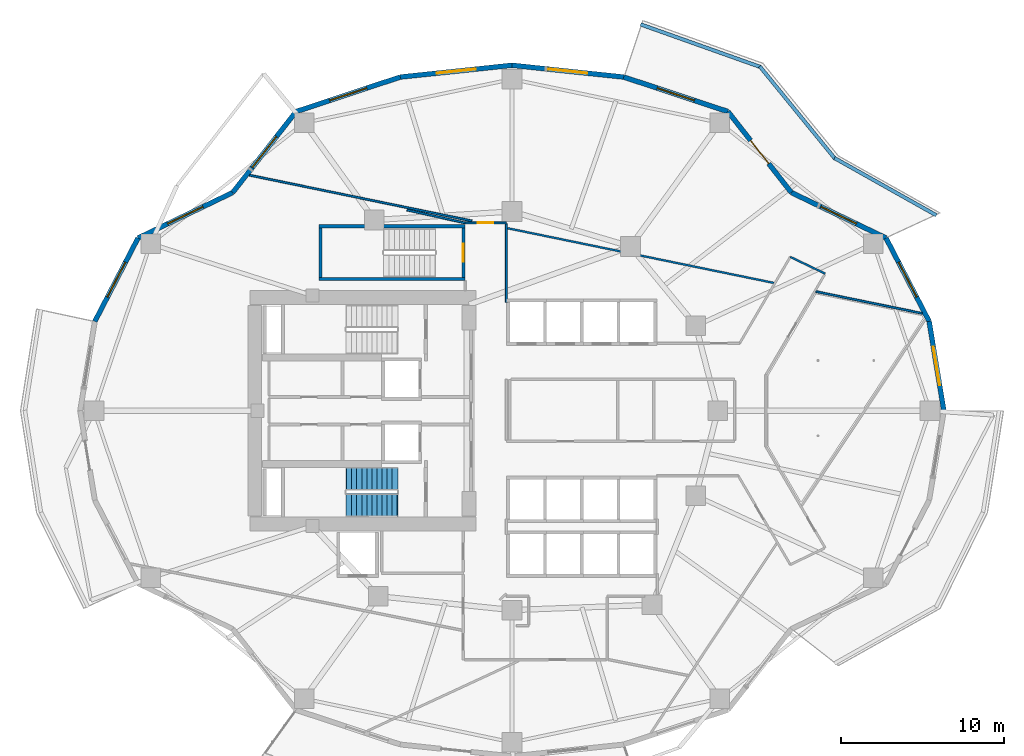
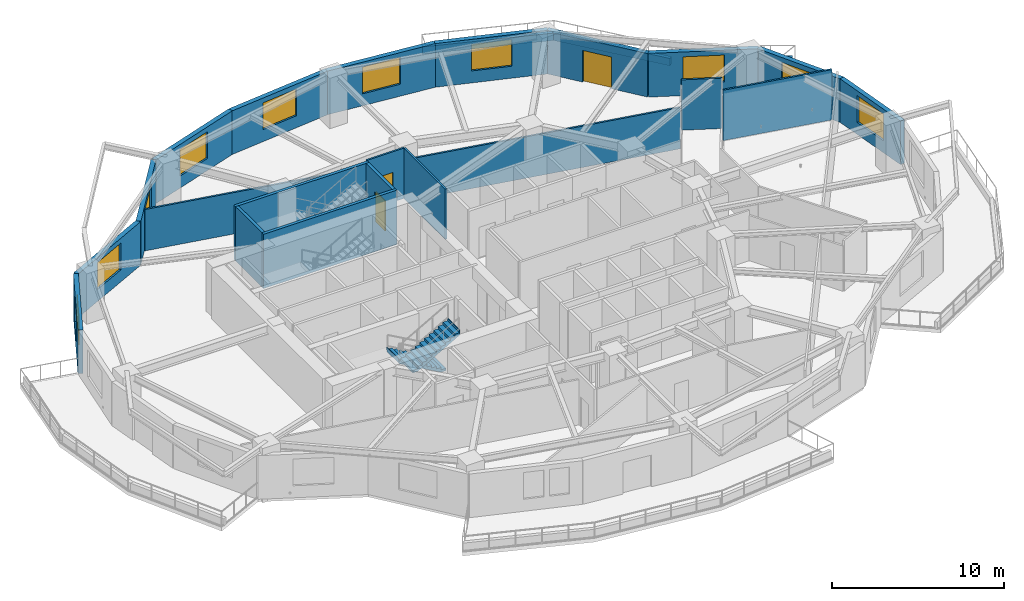
# One storey, part 6 of 14: 25 walls, 10 windows, 3 doors, 2 stair flights, 13 openings, 1 element without a shape of its own.
"""IFC4 building model written with IfcOpenShell, lengths in metres."""

from ifc_helpers import new_model, si_unit, direction, frame, frame_2d, origin, place, context, subcontext, project, spatial, polyline, rectangle, outline, extrude, material, layer, layer_set, type_object, element, fill, aggregate, save


model = new_model("IFC4")

# Units and contexts
model_context = context("Model", 3, precision=1e-05, world=origin(), true_north=direction((0.0, 1.0)))
body_context = subcontext(model_context, "Body", "Model", "MODEL_VIEW")
ifc_project = project(units=[si_unit("LENGTHUNIT", "METRE"), si_unit("AREAUNIT", "SQUARE_METRE"), si_unit("VOLUMEUNIT", "CUBIC_METRE"), si_unit("PLANEANGLEUNIT", "RADIAN"), si_unit("MASSUNIT", "GRAM", prefix="KILO")], contexts=[model_context])

# Site, building, storey
site_placement = place(None, origin())
site = spatial("IfcSite", under=ifc_project, at=site_placement, CompositionType="ELEMENT")
building_placement = place(site_placement, origin())
building = spatial("IfcBuilding", under=site, at=building_placement, Name="Kolvaren Gate Tower and Convention Centre", CompositionType="ELEMENT")
storey_placement = place(building_placement, frame((0.0, 0.0, 57.300048828125)))
storey = spatial("IfcBuildingStorey", under=building, at=storey_placement, Name="L13", CompositionType="ELEMENT", Elevation=57.300048828125)

# Wall, opening, door
ifc_material_1 = material(Name="Fire-Rated Acoustic Gypsum Stud Partition", Category="gypsum")
ifc_layer_1 = layer(ifc_material_1, 0.1201171875)
ifc_layer_set_1 = layer_set([ifc_layer_1], Name="Fire-Rated Acoustic Gypsum Stud Partition")
wall_type_1 = type_object("IfcWallType", Name="ARCH-WL-PART-120", PredefinedType="PARTITIONING", material=ifc_layer_set_1)
wall_1_placement = place(storey_placement, frame((27.25, 38.5, 0.0), z_axis=(0.0, 0.0, 1.0), x_axis=(1.0, 0.0, 0.0)))
wall_1 = element("IfcWall", 1, at=wall_1_placement, inside=storey, type_object=wall_type_1, Name="Interior Partition WL-L13-INT-022", PredefinedType="PARTITIONING", context=body_context, shape_type="SweptSolid", body=[
    extrude(rectangle(XDim=2.530029296875, YDim=0.1201171875, at=frame_2d((1.26513671875, 0.0))), origin(), (0.0, 0.0, 1.0), 3.570068359375),
])
opening_1_placement = place(wall_1_placement, frame((0.7900390625, 0.0, 0.0)))
opening_1 = element("IfcOpeningElement", 2, at=opening_1_placement, cuts=wall_1, Name="Opening DR-01", PredefinedType="OPENING", context=body_context, shape_type="SweptSolid", body=[
    extrude(rectangle(XDim=0.949951171875, YDim=2.10009765625, at=frame_2d((0.47509765625, 1.050048828125))), frame((0.0, 0.070068359375, 0.0), z_axis=(0.0, -1.0, 0.0), x_axis=(1.0, 0.0, 0.0)), (0.0, 0.0, 1.0), 0.14013671875),
])
ifc_material_2 = material(Name="Painted Architectural Steelwork ASTM A500 Grade C 345 MPa", Category="steel")
door_type_1 = type_object("IfcDoorType", Name="ARCH-DR-RISER-950", OperationType="SINGLE_SWING_RIGHT", PredefinedType="DOOR", material=ifc_material_2)
door_1_placement = place(opening_1_placement, origin())
door_1 = element("IfcDoor", 3, at=door_1_placement, inside=storey, type_object=door_type_1, Name="Design Flagship Showroom Door", OperationType="SINGLE_SWING_LEFT", OverallHeight=2.10009765625, OverallWidth=0.949951171875, PredefinedType="DOOR", context=body_context, shape_type="SweptSolid", body=[
    extrude(rectangle(XDim=0.949951171875, YDim=2.10009765625, at=frame_2d((0.47509765625, 1.050048828125))), frame((0.0, 0.02490234375, 0.0), z_axis=(0.0, -1.0, 0.0), x_axis=(1.0, 0.0, 0.0)), (0.0, 0.0, 1.0), 0.050048828125),
])
fill(opening_1, door_1)

# Walls
wall_2_placement = place(storey_placement, frame((29.780029296875, 33.639892578125, 0.0), z_axis=(0.0, 0.0, 1.0), x_axis=(0.0, 1.0, 0.0)))
element("IfcWall", 4, at=wall_2_placement, inside=storey, type_object=wall_type_1, Name="Interior Partition WL-L13-INT-025", PredefinedType="PARTITIONING", context=body_context, shape_type="SweptSolid", body=[
    extrude(rectangle(XDim=4.798095703125, YDim=0.1201171875, at=frame_2d((2.39892578125, 0.0))), origin(), (0.0, 0.0, 1.0), 3.570068359375),
])
wall_3_placement = place(storey_placement, frame((47.160888671875, 36.4189453125, 0.0), z_axis=(0.0, 0.0, 1.0), x_axis=(0.901268684569, -0.433260612351, 0.0)))
element("IfcWall", 5, at=wall_3_placement, inside=storey, type_object=wall_type_1, Name="Interior Partition WL-L13-INT-028", PredefinedType="PARTITIONING", context=body_context, shape_type="SweptSolid", body=[
    extrude(rectangle(XDim=2.367919921875, YDim=0.1201171875, at=frame_2d((1.18408203125, 0.0))), origin(), (0.0, 0.0, 1.0), 3.570068359375),
])
wall_4_placement = place(storey_placement, frame((14.0498046875, 41.421142578125, 0.0), z_axis=(0.0, 0.0, 1.0), x_axis=(0.979545345603, -0.201223547102, 0.0)))
element("IfcWall", 6, at=wall_4_placement, inside=storey, type_object=wall_type_1, Name="Interior Partition WL-L13-INT-045", PredefinedType="PARTITIONING", context=body_context, shape_type="SweptSolid", body=[
    extrude(rectangle(XDim=13.91015625, YDim=0.1201171875, at=frame_2d((6.955078125, 0.0))), origin(), (0.0, 0.0, 1.0), 2.933837890625),
])
wall_5_placement = place(storey_placement, frame((29.842041015625, 38.177001953125, 0.0), z_axis=(0.0, 0.0, 1.0), x_axis=(0.979543984113, -0.201230174647, 0.0)))
element("IfcWall", 7, at=wall_5_placement, inside=storey, type_object=wall_type_1, Name="Interior Partition WL-L13-INT-046", PredefinedType="PARTITIONING", context=body_context, shape_type="SweptSolid", body=[
    extrude(rectangle(XDim=16.654052734375, YDim=0.1201171875, at=frame_2d((8.3271484375, 0.0))), origin(), (0.0, 0.0, 1.0), 2.933837890625),
])
wall_6_placement = place(storey_placement, frame((48.72509765625, 34.2978515625, 0.0), z_axis=(0.0, 0.0, 1.0), x_axis=(0.979545031046, -0.201225078339, 0.0)))
element("IfcWall", 8, at=wall_6_placement, inside=storey, type_object=wall_type_1, Name="Interior Partition WL-L13-INT-047", PredefinedType="PARTITIONING", context=body_context, shape_type="SweptSolid", body=[
    extrude(rectangle(XDim=6.64990234375, YDim=0.1201171875, at=frame_2d((3.324951171875, 0.0))), origin(), (0.0, 0.0, 1.0), 3.570068359375),
])
wall_7_placement = place(storey_placement, frame((23.69287109375, 39.287109375, 0.0), z_axis=(0.0, 0.0, 1.0), x_axis=(0.976382184517, -0.216050525936, 0.0)))
element("IfcWall", 9, at=wall_7_placement, inside=storey, type_object=wall_type_1, Name="Interior Partition WL-L13-INT-048", PredefinedType="PARTITIONING", context=body_context, shape_type="SweptSolid", body=[
    extrude(rectangle(XDim=3.64306640625, YDim=0.1201171875, at=frame_2d((1.821533203125, 0.0))), origin(), (0.0, 0.0, 1.0), 2.933837890625),
])
ifc_material_3 = material(Name="Piedmont Cream Honed Limestone Cladding", Category="masonry")
ifc_layer_2 = layer(ifc_material_3, 0.219970703125)
ifc_layer_set_2 = layer_set([ifc_layer_2], Name="Piedmont Cream Honed Limestone Cladding")
wall_type_2 = type_object("IfcWallType", Name="ARCH-WL-PLANTER-220", PredefinedType="PARAPET", material=ifc_layer_set_2)
wall_8_placement = place(storey_placement, frame((49.867919921875, 42.469482421875, 0.0), z_axis=(0.0, 0.0, 1.0), x_axis=(0.871775109335, -0.489906275468, 0.0)))
element("IfcWall", 10, at=wall_8_placement, inside=storey, type_object=wall_type_2, Name="Vertical-Forest Balcony Stone Planter Kerb PK-L13-1.1", PredefinedType="PARAPET", context=body_context, shape_type="SweptSolid", body=[
    extrude(rectangle(XDim=7.152099609375, YDim=0.219970703125, at=frame_2d((3.576171875, 0.0))), origin(), (0.0, 0.0, 1.0), 0.52001953125),
])
wall_9_placement = place(storey_placement, frame((45.2919921875, 48.08203125, 0.0), z_axis=(0.0, 0.0, 1.0), x_axis=(0.631819273026, -0.775115737315, 0.0)))
element("IfcWall", 11, at=wall_9_placement, inside=storey, type_object=wall_type_2, Name="Vertical-Forest Balcony Stone Planter Kerb PK-L13-1.2", PredefinedType="PARAPET", context=body_context, shape_type="SweptSolid", body=[
    extrude(rectangle(XDim=7.31591796875, YDim=0.219970703125, at=frame_2d((3.657958984375, 0.0))), origin(), (0.0, 0.0, 1.0), 0.52001953125),
])
wall_10_placement = place(storey_placement, frame((38.001220703125, 50.651123046875, 0.0), z_axis=(0.0, 0.0, 1.0), x_axis=(0.942203722205, -0.335040513764, 0.0)))
element("IfcWall", 12, at=wall_10_placement, inside=storey, type_object=wall_type_2, Name="Vertical-Forest Balcony Stone Planter Kerb PK-L13-1.3", PredefinedType="PARAPET", context=body_context, shape_type="SweptSolid", body=[
    extrude(rectangle(XDim=7.80712890625, YDim=0.219970703125, at=frame_2d((3.903564453125, 0.0))), origin(), (0.0, 0.0, 1.0), 0.52001953125),
])

# Wall, opening, window
ifc_layer_3 = layer(ifc_material_3, 0.300048828125)
ifc_layer_set_3 = layer_set([ifc_layer_3], Name="Piedmont Cream Honed Limestone Cladding")
wall_type_3 = type_object("IfcWallType", Name="ARCH-WL-STONE-300", PredefinedType="SOLIDWALL", material=ifc_layer_set_3)
wall_11_placement = place(storey_placement, frame((55.66162109375, 32.47412109375, 0.0), z_axis=(0.0, 0.0, 1.0), x_axis=(0.162386212206, -0.986727276447, 0.0)))
wall_11 = element("IfcWall", 13, at=wall_11_placement, inside=storey, type_object=wall_type_3, Name="Tower L13 Honed Stone Spandrel Wall EW-00", PredefinedType="SOLIDWALL", context=body_context, shape_type="SweptSolid", body=[
    extrude(rectangle(XDim=5.5478515625, YDim=0.300048828125, at=frame_2d((2.77392578125, 0.0))), origin(), (0.0, 0.0, 1.0), 3.093017578125),
])
opening_2_placement = place(wall_11_placement, frame((1.573974609375, 0.0, 0.85009765625)))
opening_2 = element("IfcOpeningElement", 14, at=opening_2_placement, cuts=wall_11, Name="Opening W-01", PredefinedType="OPENING", context=body_context, shape_type="SweptSolid", body=[
    extrude(rectangle(XDim=2.39990234375, YDim=1.89990234375, at=frame_2d((1.199951171875, 0.949951171875))), frame((0.0, 0.159912109375, 0.0), z_axis=(0.0, -1.0, 0.0), x_axis=(1.0, 0.0, 0.0)), (0.0, 0.0, 1.0), 0.320068359375),
])
ifc_material_4 = material(Name="Low-E Triple Insulated Glazing Unit 44 mm", Category="glass")
window_type = type_object("IfcWindowType", Name="ARCH-WN-OFF-2400", PartitioningType="SINGLE_PANEL", PredefinedType="WINDOW", material=ifc_material_4)
window_1_placement = place(opening_2_placement, origin())
window_1 = element("IfcWindow", 15, at=window_1_placement, inside=storey, type_object=window_type, Name="Tower L13 Punched Stone Facade Window W-00", OverallHeight=1.89990234375, OverallWidth=2.39990234375, PartitioningType="SINGLE_PANEL", PredefinedType="WINDOW", context=body_context, shape_type="SweptSolid", body=[
    extrude(rectangle(XDim=2.39990234375, YDim=1.89990234375, at=frame_2d((1.199951171875, 0.949951171875))), frame((0.0, 0.030029296875, 0.0), z_axis=(0.0, -1.0, 0.0), x_axis=(1.0, 0.0, 0.0)), (0.0, 0.0, 1.0), 0.06005859375),
])
fill(opening_2, window_1)

wall_12_placement = place(storey_placement, frame((53.0205078125, 37.574951171875, 0.0), z_axis=(0.0, 0.0, 1.0), x_axis=(0.459800981414, -0.888021991558, 0.0)))
wall_12 = element("IfcWall", 16, at=wall_12_placement, inside=storey, type_object=wall_type_3, Name="Tower L13 Honed Stone Spandrel Wall EW-01", PredefinedType="SOLIDWALL", context=body_context, shape_type="SweptSolid", body=[
    extrude(rectangle(XDim=5.744140625, YDim=0.300048828125, at=frame_2d((2.8720703125, 0.0))), origin(), (0.0, 0.0, 1.0), 3.093017578125),
])
opening_3_placement = place(wall_12_placement, frame((1.672119140625, 0.0, 0.85009765625)))
opening_3 = element("IfcOpeningElement", 17, at=opening_3_placement, cuts=wall_12, Name="Opening W-01", PredefinedType="OPENING", context=body_context, shape_type="SweptSolid", body=[
    extrude(rectangle(XDim=2.39990234375, YDim=1.89990234375, at=frame_2d((1.199951171875, 0.949951171875))), frame((0.0, 0.159912109375, 0.0), z_axis=(0.0, -1.0, 0.0), x_axis=(1.0, 0.0, 0.0)), (0.0, 0.0, 1.0), 0.320068359375),
])
window_2_placement = place(opening_3_placement, origin())
window_2 = element("IfcWindow", 18, at=window_2_placement, inside=storey, type_object=window_type, Name="Tower L13 Punched Stone Facade Window W-01", OverallHeight=1.89990234375, OverallWidth=2.39990234375, PartitioningType="SINGLE_PANEL", PredefinedType="WINDOW", context=body_context, shape_type="SweptSolid", body=[
    extrude(rectangle(XDim=2.39990234375, YDim=1.89990234375, at=frame_2d((1.199951171875, 0.949951171875))), frame((0.0, 0.030029296875, 0.0), z_axis=(0.0, -1.0, 0.0), x_axis=(1.0, 0.0, 0.0)), (0.0, 0.0, 1.0), 0.06005859375),
])
fill(opening_3, window_2)

wall_13_placement = place(storey_placement, frame((47.223876953125, 40.360107421875, 0.0), z_axis=(0.0, 0.0, 1.0), x_axis=(0.901354747727, -0.433081538224, 0.0)))
wall_13 = element("IfcWall", 19, at=wall_13_placement, inside=storey, type_object=wall_type_3, Name="Tower L13 Honed Stone Spandrel Wall EW-02", PredefinedType="SOLIDWALL", context=body_context, shape_type="SweptSolid", body=[
    extrude(rectangle(XDim=6.430908203125, YDim=0.300048828125, at=frame_2d((3.21533203125, 0.0))), origin(), (0.0, 0.0, 1.0), 3.093017578125),
])
opening_4_placement = place(wall_13_placement, frame((2.014892578125, 0.0, 0.85009765625)))
opening_4 = element("IfcOpeningElement", 20, at=opening_4_placement, cuts=wall_13, Name="Opening W-01", PredefinedType="OPENING", context=body_context, shape_type="SweptSolid", body=[
    extrude(rectangle(XDim=2.39990234375, YDim=1.89990234375, at=frame_2d((1.199951171875, 0.949951171875))), frame((0.0, 0.159912109375, 0.0), z_axis=(0.0, -1.0, 0.0), x_axis=(1.0, 0.0, 0.0)), (0.0, 0.0, 1.0), 0.320068359375),
])
window_3_placement = place(opening_4_placement, origin())
window_3 = element("IfcWindow", 21, at=window_3_placement, inside=storey, type_object=window_type, Name="Tower L13 Punched Stone Facade Window W-02", OverallHeight=1.89990234375, OverallWidth=2.39990234375, PartitioningType="SINGLE_PANEL", PredefinedType="WINDOW", context=body_context, shape_type="SweptSolid", body=[
    extrude(rectangle(XDim=2.39990234375, YDim=1.89990234375, at=frame_2d((1.199951171875, 0.949951171875))), frame((0.0, 0.030029296875, 0.0), z_axis=(0.0, -1.0, 0.0), x_axis=(1.0, 0.0, 0.0)), (0.0, 0.0, 1.0), 0.06005859375),
])
fill(opening_4, window_3)

# Wall, opening, door
wall_14_placement = place(storey_placement, frame((43.34375, 45.31640625, 0.0), z_axis=(0.0, 0.0, 1.0), x_axis=(0.616434798832, -0.78740595552, 0.0)))
wall_14 = element("IfcWall", 22, at=wall_14_placement, inside=storey, type_object=wall_type_3, Name="Tower L13 Honed Stone Spandrel Wall EW-03", PredefinedType="SOLIDWALL", context=body_context, shape_type="SweptSolid", body=[
    extrude(rectangle(XDim=6.29443359375, YDim=0.300048828125, at=frame_2d((3.147216796875, 0.0))), origin(), (0.0, 0.0, 1.0), 3.093017578125),
])
opening_5_placement = place(wall_14_placement, frame((2.2470703125, 0.0, 0.0)))
opening_5 = element("IfcOpeningElement", 23, at=opening_5_placement, cuts=wall_14, Name="Opening DB-01", PredefinedType="OPENING", context=body_context, shape_type="SweptSolid", body=[
    extrude(rectangle(XDim=1.800048828125, YDim=2.25, at=frame_2d((0.89990234375, 1.125))), frame((0.0, 0.159912109375, 0.0), z_axis=(0.0, -1.0, 0.0), x_axis=(1.0, 0.0, 0.0)), (0.0, 0.0, 1.0), 0.320068359375),
])
ifc_material_5 = material(Name="Anodized Architectural Aluminium Alloy 6063-T6", Category="aluminium")
door_type_2 = type_object("IfcDoorType", Name="ARCH-DR-BALC-1800", OperationType="SLIDING_TO_LEFT", PredefinedType="DOOR", material=ifc_material_5)
door_2_placement = place(opening_5_placement, origin())
door_2 = element("IfcDoor", 24, at=door_2_placement, inside=storey, type_object=door_type_2, Name="Planted Sky Terrace Access Door DB-L13-03", OperationType="SLIDING_TO_LEFT", OverallHeight=2.25, OverallWidth=1.800048828125, PredefinedType="DOOR", context=body_context, shape_type="SweptSolid", body=[
    extrude(rectangle(XDim=1.800048828125, YDim=2.25, at=frame_2d((0.89990234375, 1.125))), frame((0.0, 0.02490234375, 0.0), z_axis=(0.0, -1.0, 0.0), x_axis=(1.0, 0.0, 0.0)), (0.0, 0.0, 1.0), 0.050048828125),
])
fill(opening_5, door_2)

# Wall, opening, window
wall_15_placement = place(storey_placement, frame((36.967529296875, 47.42919921875, 0.0), z_axis=(0.0, 0.0, 1.0), x_axis=(0.949245153629, -0.314537181127, 0.0)))
wall_15 = element("IfcWall", 25, at=wall_15_placement, inside=storey, type_object=wall_type_3, Name="Tower L13 Honed Stone Spandrel Wall EW-04", PredefinedType="SOLIDWALL", context=body_context, shape_type="SweptSolid", body=[
    extrude(rectangle(XDim=6.717041015625, YDim=0.300048828125, at=frame_2d((3.3583984375, 0.0))), origin(), (0.0, 0.0, 1.0), 3.093017578125),
])
opening_6_placement = place(wall_15_placement, frame((2.158935546875, 0.0, 0.85009765625)))
opening_6 = element("IfcOpeningElement", 26, at=opening_6_placement, cuts=wall_15, Name="Opening W-01", PredefinedType="OPENING", context=body_context, shape_type="SweptSolid", body=[
    extrude(rectangle(XDim=2.39990234375, YDim=1.89990234375, at=frame_2d((1.199951171875, 0.949951171875))), frame((0.0, 0.159912109375, 0.0), z_axis=(0.0, -1.0, 0.0), x_axis=(1.0, 0.0, 0.0)), (0.0, 0.0, 1.0), 0.320068359375),
])
window_4_placement = place(opening_6_placement, origin())
window_4 = element("IfcWindow", 27, at=window_4_placement, inside=storey, type_object=window_type, Name="Tower L13 Punched Stone Facade Window W-04", OverallHeight=1.89990234375, OverallWidth=2.39990234375, PartitioningType="SINGLE_PANEL", PredefinedType="WINDOW", context=body_context, shape_type="SweptSolid", body=[
    extrude(rectangle(XDim=2.39990234375, YDim=1.89990234375, at=frame_2d((1.199951171875, 0.949951171875))), frame((0.0, 0.030029296875, 0.0), z_axis=(0.0, -1.0, 0.0), x_axis=(1.0, 0.0, 0.0)), (0.0, 0.0, 1.0), 0.06005859375),
])
fill(opening_6, window_4)

wall_16_placement = place(storey_placement, frame((30.125, 48.14990234375, 0.0), z_axis=(0.0, 0.0, 1.0), x_axis=(0.994498840295, -0.104747585419, 0.0)))
wall_16 = element("IfcWall", 28, at=wall_16_placement, inside=storey, type_object=wall_type_3, Name="Tower L13 Honed Stone Spandrel Wall EW-05", PredefinedType="SOLIDWALL", context=body_context, shape_type="SweptSolid", body=[
    extrude(rectangle(XDim=6.88037109375, YDim=0.300048828125, at=frame_2d((3.440185546875, 0.0))), origin(), (0.0, 0.0, 1.0), 3.093017578125),
])
opening_7_placement = place(wall_16_placement, frame((2.239990234375, 0.0, 0.85009765625)))
opening_7 = element("IfcOpeningElement", 29, at=opening_7_placement, cuts=wall_16, Name="Opening W-01", PredefinedType="OPENING", context=body_context, shape_type="SweptSolid", body=[
    extrude(rectangle(XDim=2.39990234375, YDim=1.89990234375, at=frame_2d((1.199951171875, 0.949951171875))), frame((0.0, 0.159912109375, 0.0), z_axis=(0.0, -1.0, 0.0), x_axis=(1.0, 0.0, 0.0)), (0.0, 0.0, 1.0), 0.320068359375),
])
window_5_placement = place(opening_7_placement, origin())
window_5 = element("IfcWindow", 30, at=window_5_placement, inside=storey, type_object=window_type, Name="Tower L13 Punched Stone Facade Window W-05", OverallHeight=1.89990234375, OverallWidth=2.39990234375, PartitioningType="SINGLE_PANEL", PredefinedType="WINDOW", context=body_context, shape_type="SweptSolid", body=[
    extrude(rectangle(XDim=2.39990234375, YDim=1.89990234375, at=frame_2d((1.199951171875, 0.949951171875))), frame((0.0, 0.030029296875, 0.0), z_axis=(0.0, -1.0, 0.0), x_axis=(1.0, 0.0, 0.0)), (0.0, 0.0, 1.0), 0.06005859375),
])
fill(opening_7, window_5)

wall_17_placement = place(storey_placement, frame((23.282470703125, 47.42919921875, 0.0), z_axis=(0.0, 0.0, 1.0), x_axis=(0.994498840295, 0.104747585419, 0.0)))
wall_17 = element("IfcWall", 31, at=wall_17_placement, inside=storey, type_object=wall_type_3, Name="Tower L13 Honed Stone Spandrel Wall EW-06", PredefinedType="SOLIDWALL", context=body_context, shape_type="SweptSolid", body=[
    extrude(rectangle(XDim=6.88037109375, YDim=0.300048828125, at=frame_2d((3.440185546875, 0.0))), origin(), (0.0, 0.0, 1.0), 3.093017578125),
])
opening_8_placement = place(wall_17_placement, frame((2.239990234375, 0.0, 0.85009765625)))
opening_8 = element("IfcOpeningElement", 32, at=opening_8_placement, cuts=wall_17, Name="Opening W-01", PredefinedType="OPENING", context=body_context, shape_type="SweptSolid", body=[
    extrude(rectangle(XDim=2.39990234375, YDim=1.89990234375, at=frame_2d((1.199951171875, 0.949951171875))), frame((0.0, 0.159912109375, 0.0), z_axis=(0.0, -1.0, 0.0), x_axis=(1.0, 0.0, 0.0)), (0.0, 0.0, 1.0), 0.320068359375),
])
window_6_placement = place(opening_8_placement, origin())
window_6 = element("IfcWindow", 33, at=window_6_placement, inside=storey, type_object=window_type, Name="Tower L13 Punched Stone Facade Window W-06", OverallHeight=1.89990234375, OverallWidth=2.39990234375, PartitioningType="SINGLE_PANEL", PredefinedType="WINDOW", context=body_context, shape_type="SweptSolid", body=[
    extrude(rectangle(XDim=2.39990234375, YDim=1.89990234375, at=frame_2d((1.199951171875, 0.949951171875))), frame((0.0, 0.030029296875, 0.0), z_axis=(0.0, -1.0, 0.0), x_axis=(1.0, 0.0, 0.0)), (0.0, 0.0, 1.0), 0.06005859375),
])
fill(opening_8, window_6)

wall_18_placement = place(storey_placement, frame((16.90625, 45.31640625, 0.0), z_axis=(0.0, 0.0, 1.0), x_axis=(0.949245153629, 0.314537181127, 0.0)))
wall_18 = element("IfcWall", 34, at=wall_18_placement, inside=storey, type_object=wall_type_3, Name="Tower L13 Honed Stone Spandrel Wall EW-07", PredefinedType="SOLIDWALL", context=body_context, shape_type="SweptSolid", body=[
    extrude(rectangle(XDim=6.717041015625, YDim=0.300048828125, at=frame_2d((3.3583984375, 0.0))), origin(), (0.0, 0.0, 1.0), 3.093017578125),
])
opening_9_placement = place(wall_18_placement, frame((2.158935546875, 0.0, 0.85009765625)))
opening_9 = element("IfcOpeningElement", 35, at=opening_9_placement, cuts=wall_18, Name="Opening W-01", PredefinedType="OPENING", context=body_context, shape_type="SweptSolid", body=[
    extrude(rectangle(XDim=2.39990234375, YDim=1.89990234375, at=frame_2d((1.199951171875, 0.949951171875))), frame((0.0, 0.159912109375, 0.0), z_axis=(0.0, -1.0, 0.0), x_axis=(1.0, 0.0, 0.0)), (0.0, 0.0, 1.0), 0.320068359375),
])
window_7_placement = place(opening_9_placement, origin())
window_7 = element("IfcWindow", 36, at=window_7_placement, inside=storey, type_object=window_type, Name="Tower L13 Punched Stone Facade Window W-07", OverallHeight=1.89990234375, OverallWidth=2.39990234375, PartitioningType="SINGLE_PANEL", PredefinedType="WINDOW", context=body_context, shape_type="SweptSolid", body=[
    extrude(rectangle(XDim=2.39990234375, YDim=1.89990234375, at=frame_2d((1.199951171875, 0.949951171875))), frame((0.0, 0.030029296875, 0.0), z_axis=(0.0, -1.0, 0.0), x_axis=(1.0, 0.0, 0.0)), (0.0, 0.0, 1.0), 0.06005859375),
])
fill(opening_9, window_7)

wall_19_placement = place(storey_placement, frame((13.026123046875, 40.360107421875, 0.0), z_axis=(0.0, 0.0, 1.0), x_axis=(0.616434798832, 0.78740595552, 0.0)))
wall_19 = element("IfcWall", 37, at=wall_19_placement, inside=storey, type_object=wall_type_3, Name="Tower L13 Honed Stone Spandrel Wall EW-08", PredefinedType="SOLIDWALL", context=body_context, shape_type="SweptSolid", body=[
    extrude(rectangle(XDim=6.29443359375, YDim=0.300048828125, at=frame_2d((3.147216796875, 0.0))), origin(), (0.0, 0.0, 1.0), 3.093017578125),
])
opening_10_placement = place(wall_19_placement, frame((1.947021484375, 0.0, 0.85009765625)))
opening_10 = element("IfcOpeningElement", 38, at=opening_10_placement, cuts=wall_19, Name="Opening W-01", PredefinedType="OPENING", context=body_context, shape_type="SweptSolid", body=[
    extrude(rectangle(XDim=2.39990234375, YDim=1.89990234375, at=frame_2d((1.199951171875, 0.949951171875))), frame((0.0, 0.159912109375, 0.0), z_axis=(0.0, -1.0, 0.0), x_axis=(1.0, 0.0, 0.0)), (0.0, 0.0, 1.0), 0.320068359375),
])
window_8_placement = place(opening_10_placement, origin())
window_8 = element("IfcWindow", 39, at=window_8_placement, inside=storey, type_object=window_type, Name="Tower L13 Punched Stone Facade Window W-08", OverallHeight=1.89990234375, OverallWidth=2.39990234375, PartitioningType="SINGLE_PANEL", PredefinedType="WINDOW", context=body_context, shape_type="SweptSolid", body=[
    extrude(rectangle(XDim=2.39990234375, YDim=1.89990234375, at=frame_2d((1.199951171875, 0.949951171875))), frame((0.0, 0.030029296875, 0.0), z_axis=(0.0, -1.0, 0.0), x_axis=(1.0, 0.0, 0.0)), (0.0, 0.0, 1.0), 0.06005859375),
])
fill(opening_10, window_8)

wall_20_placement = place(storey_placement, frame((7.2294921875, 37.574951171875, 0.0), z_axis=(0.0, 0.0, 1.0), x_axis=(0.901354747727, 0.433081538224, 0.0)))
wall_20 = element("IfcWall", 40, at=wall_20_placement, inside=storey, type_object=wall_type_3, Name="Tower L13 Honed Stone Spandrel Wall EW-09", PredefinedType="SOLIDWALL", context=body_context, shape_type="SweptSolid", body=[
    extrude(rectangle(XDim=6.430908203125, YDim=0.300048828125, at=frame_2d((3.21533203125, 0.0))), origin(), (0.0, 0.0, 1.0), 3.093017578125),
])
opening_11_placement = place(wall_20_placement, frame((2.014892578125, 0.0, 0.85009765625)))
opening_11 = element("IfcOpeningElement", 41, at=opening_11_placement, cuts=wall_20, Name="Opening W-01", PredefinedType="OPENING", context=body_context, shape_type="SweptSolid", body=[
    extrude(rectangle(XDim=2.39990234375, YDim=1.89990234375, at=frame_2d((1.199951171875, 0.949951171875))), frame((0.0, 0.159912109375, 0.0), z_axis=(0.0, -1.0, 0.0), x_axis=(1.0, 0.0, 0.0)), (0.0, 0.0, 1.0), 0.320068359375),
])
window_9_placement = place(opening_11_placement, origin())
window_9 = element("IfcWindow", 42, at=window_9_placement, inside=storey, type_object=window_type, Name="Tower L13 Punched Stone Facade Window W-09", OverallHeight=1.89990234375, OverallWidth=2.39990234375, PartitioningType="SINGLE_PANEL", PredefinedType="WINDOW", context=body_context, shape_type="SweptSolid", body=[
    extrude(rectangle(XDim=2.39990234375, YDim=1.89990234375, at=frame_2d((1.199951171875, 0.949951171875))), frame((0.0, 0.030029296875, 0.0), z_axis=(0.0, -1.0, 0.0), x_axis=(1.0, 0.0, 0.0)), (0.0, 0.0, 1.0), 0.06005859375),
])
fill(opening_11, window_9)

wall_21_placement = place(storey_placement, frame((4.58837890625, 32.47412109375, 0.0), z_axis=(0.0, 0.0, 1.0), x_axis=(0.459800981414, 0.888021991558, 0.0)))
wall_21 = element("IfcWall", 43, at=wall_21_placement, inside=storey, type_object=wall_type_3, Name="Tower L13 Honed Stone Spandrel Wall EW-10", PredefinedType="SOLIDWALL", context=body_context, shape_type="SweptSolid", body=[
    extrude(rectangle(XDim=5.744140625, YDim=0.300048828125, at=frame_2d((2.8720703125, 0.0))), origin(), (0.0, 0.0, 1.0), 3.093017578125),
])
opening_12_placement = place(wall_21_placement, frame((1.672119140625, 0.0, 0.85009765625)))
opening_12 = element("IfcOpeningElement", 44, at=opening_12_placement, cuts=wall_21, Name="Opening W-01", PredefinedType="OPENING", context=body_context, shape_type="SweptSolid", body=[
    extrude(rectangle(XDim=2.39990234375, YDim=1.89990234375, at=frame_2d((1.199951171875, 0.949951171875))), frame((0.0, 0.159912109375, 0.0), z_axis=(0.0, -1.0, 0.0), x_axis=(1.0, 0.0, 0.0)), (0.0, 0.0, 1.0), 0.320068359375),
])
window_10_placement = place(opening_12_placement, origin())
window_10 = element("IfcWindow", 45, at=window_10_placement, inside=storey, type_object=window_type, Name="Tower L13 Punched Stone Facade Window W-10", OverallHeight=1.89990234375, OverallWidth=2.39990234375, PartitioningType="SINGLE_PANEL", PredefinedType="WINDOW", context=body_context, shape_type="SweptSolid", body=[
    extrude(rectangle(XDim=2.39990234375, YDim=1.89990234375, at=frame_2d((1.199951171875, 0.949951171875))), frame((0.0, 0.030029296875, 0.0), z_axis=(0.0, -1.0, 0.0), x_axis=(1.0, 0.0, 0.0)), (0.0, 0.0, 1.0), 0.06005859375),
])
fill(opening_12, window_10)

# Wall, opening, door
ifc_material_6 = material(Name="Concrete C50/60", Category="concrete")
ifc_layer_4 = layer(ifc_material_6, 0.199951171875)
ifc_layer_set_4 = layer_set([ifc_layer_4], Name="Concrete C50/60")
wall_type_4 = type_object("IfcWallType", Name="STR-WL-SHAFT-200", PredefinedType="SHEAR", material=ifc_layer_set_4)
wall_22_placement = place(storey_placement, frame((27.14990234375, 35.159912109375, -0.280029296875), z_axis=(0.0, 0.0, 1.0), x_axis=(0.0, 1.0, 0.0)))
wall_22 = element("IfcWall", 46, at=wall_22_placement, inside=storey, type_object=wall_type_4, Name="Tower Mid-Zone Exit Stair ST-T3 L13 Structural Shear Enclosure Wall NEAR", PredefinedType="SHEAR", context=body_context, shape_type="SweptSolid", body=[
    extrude(rectangle(XDim=3.0400390625, YDim=0.199951171875, at=frame_2d((1.52001953125, 0.0))), origin(), (0.0, 0.0, 1.0), 3.85009765625),
])
opening_13_placement = place(wall_22_placement, frame((0.969970703125, 0.0, 0.280029296875)))
opening_13 = element("IfcOpeningElement", 47, at=opening_13_placement, cuts=wall_22, Name="Opening DS-01", PredefinedType="OPENING", context=body_context, shape_type="SweptSolid", body=[
    extrude(rectangle(XDim=1.10009765625, YDim=2.14990234375, at=frame_2d((0.550048828125, 1.074951171875))), frame((0.0, 0.10986328125, 0.0), z_axis=(0.0, -1.0, 0.0), x_axis=(1.0, 0.0, 0.0)), (0.0, 0.0, 1.0), 0.219970703125),
])
door_type_3 = type_object("IfcDoorType", Name="ARCH-DR-STAIR-1100", OperationType="SINGLE_SWING_LEFT", PredefinedType="DOOR", material=ifc_material_2)
door_3_placement = place(opening_13_placement, origin())
door_3 = element("IfcDoor", 48, at=door_3_placement, inside=storey, type_object=door_type_3, Name="Tower Mid-Zone Exit Stair ST-T3 L13 Fire Exit Stair Door", OperationType="SINGLE_SWING_LEFT", OverallHeight=2.14990234375, OverallWidth=1.10009765625, PredefinedType="DOOR", context=body_context, shape_type="SweptSolid", body=[
    extrude(rectangle(XDim=1.10009765625, YDim=2.14990234375, at=frame_2d((0.550048828125, 1.074951171875))), frame((0.0, 0.02490234375, 0.0), z_axis=(0.0, -1.0, 0.0), x_axis=(1.0, 0.0, 0.0)), (0.0, 0.0, 1.0), 0.050048828125),
])
fill(opening_13, door_3)

# Walls
wall_23_placement = place(storey_placement, frame((18.39990234375, 35.159912109375, -0.280029296875), z_axis=(0.0, 0.0, 1.0), x_axis=(0.0, 1.0, 0.0)))
element("IfcWall", 49, at=wall_23_placement, inside=storey, type_object=wall_type_4, Name="Tower Mid-Zone Exit Stair ST-T3 L13 Structural Shear Enclosure Wall FAR", PredefinedType="SHEAR", context=body_context, shape_type="SweptSolid", body=[
    extrude(rectangle(XDim=3.0400390625, YDim=0.199951171875, at=frame_2d((1.52001953125, 0.0))), origin(), (0.0, 0.0, 1.0), 3.85009765625),
])
for number, where, z_axis, x_axis, name in (
    (50, (18.300048828125, 38.300048828125, -0.280029296875), (0.0, 0.0, 1.0), (1.0, 0.0, 0.0), "Tower Mid-Zone Exit Stair ST-T3 L13 Structural Shear Enclosure Wall LEFT"),
    (51, (18.300048828125, 35.06005859375, -0.280029296875), (0.0, 0.0, 1.0), (1.0, 0.0, 0.0), "Tower Mid-Zone Exit Stair ST-T3 L13 Structural Shear Enclosure Wall RGHT"),
):
    element("IfcWall", number, at=place(storey_placement, frame(where, z_axis=z_axis, x_axis=x_axis)), inside=storey, type_object=wall_type_4, Name=name, PredefinedType="SHEAR", context=body_context, shape_type="SweptSolid", body=[
        extrude(rectangle(XDim=8.949951171875, YDim=0.199951171875, at=frame_2d((4.47509765625, 0.0))), origin(), (0.0, 0.0, 1.0), 3.85009765625),
    ])

# Stair, stair flights
stair_type = type_object("IfcStairType", Name="STR-STAIR-CORE", PredefinedType="HALF_TURN_STAIR", material=ifc_material_6)
stair_placement = place(storey_placement, origin())
stair = element("IfcStair", 52, at=stair_placement, inside=storey, type_object=stair_type, Name="L13 Tower South Exit Stair ST-T2", PredefinedType="HALF_TURN_STAIR")
stair_flight_type = type_object("IfcStairFlightType", Name="STR-SFL-1420", PredefinedType="STRAIGHT", material=ifc_material_6)
stair_flight_1_placement = place(storey_placement, frame((23.10009765625, 22.830078125, 0.0), z_axis=(0.0, 0.0, 1.0), x_axis=(-1.0, 0.0, 0.0)))
stair_flight_1 = element("IfcStairFlight", 53, at=stair_flight_1_placement, type_object=stair_flight_type, Name="ST-T2 flight 1", NumberOfRisers=11, NumberOfTreads=10, PredefinedType="STRAIGHT", RiserHeight=0.175, TreadLength=0.31, context=body_context, shape_type="SweptSolid", body=[
    extrude(outline(polyline([(-0.034912109375, 0.0), (-0.034912109375, 0.175048828125), (0.31005859375, 0.175048828125), (0.31005859375, 0.35009765625), (0.6201171875, 0.35009765625), (0.6201171875, 0.52490234375), (0.929931640625, 0.52490234375), (0.929931640625, 0.699951171875), (1.239990234375, 0.699951171875), (1.239990234375, 0.875), (1.550048828125, 0.875), (1.550048828125, 1.050048828125), (1.860107421875, 1.050048828125), (1.860107421875, 1.22509765625), (2.169921875, 1.22509765625), (2.169921875, 1.39990234375), (2.47998046875, 1.39990234375), (2.47998046875, 1.574951171875), (2.7900390625, 1.574951171875), (2.7900390625, 1.75), (3.10009765625, 1.75), (3.10009765625, 1.925048828125), (3.14501953125, 1.925048828125), (3.14501953125, 1.764892578125), (3.10009765625, 1.577880859375), (0.304931640625, 0.0), (-0.034912109375, 0.0)])), frame((0.0, 0.7099609375, 0.0), z_axis=(0.0, -1.0, 0.0), x_axis=(1.0, 0.0, 0.0)), (0.0, 0.0, 1.0), 1.419921875),
])
stair_flight_2_placement = place(storey_placement, frame((20.0, 21.2099609375, 1.925048828125), z_axis=(0.0, 0.0, 1.0), x_axis=(1.0, 0.0, 0.0)))
stair_flight_2 = element("IfcStairFlight", 54, at=stair_flight_2_placement, type_object=stair_flight_type, Name="ST-T2 flight 2", NumberOfRisers=11, NumberOfTreads=10, PredefinedType="STRAIGHT", RiserHeight=0.175, TreadLength=0.31, context=body_context, shape_type="SweptSolid", body=[
    extrude(outline(polyline([(-0.034912109375, 0.0), (-0.034912109375, 0.175048828125), (0.31005859375, 0.175048828125), (0.31005859375, 0.35009765625), (0.6201171875, 0.35009765625), (0.6201171875, 0.52490234375), (0.929931640625, 0.52490234375), (0.929931640625, 0.699951171875), (1.239990234375, 0.699951171875), (1.239990234375, 0.875), (1.550048828125, 0.875), (1.550048828125, 1.050048828125), (1.860107421875, 1.050048828125), (1.860107421875, 1.22509765625), (2.169921875, 1.22509765625), (2.169921875, 1.39990234375), (2.47998046875, 1.39990234375), (2.47998046875, 1.574951171875), (2.7900390625, 1.574951171875), (2.7900390625, 1.75), (3.10009765625, 1.75), (3.10009765625, 1.925048828125), (3.14501953125, 1.925048828125), (3.14501953125, 1.764892578125), (3.10009765625, 1.577880859375), (0.304931640625, 0.0), (-0.034912109375, 0.0)])), frame((0.0, 0.7099609375, 0.0), z_axis=(0.0, -1.0, 0.0), x_axis=(1.0, 0.0, 0.0)), (0.0, 0.0, 1.0), 1.419921875),
])
aggregate(stair, [stair_flight_1, stair_flight_2])

save(model, "model.ifc")
